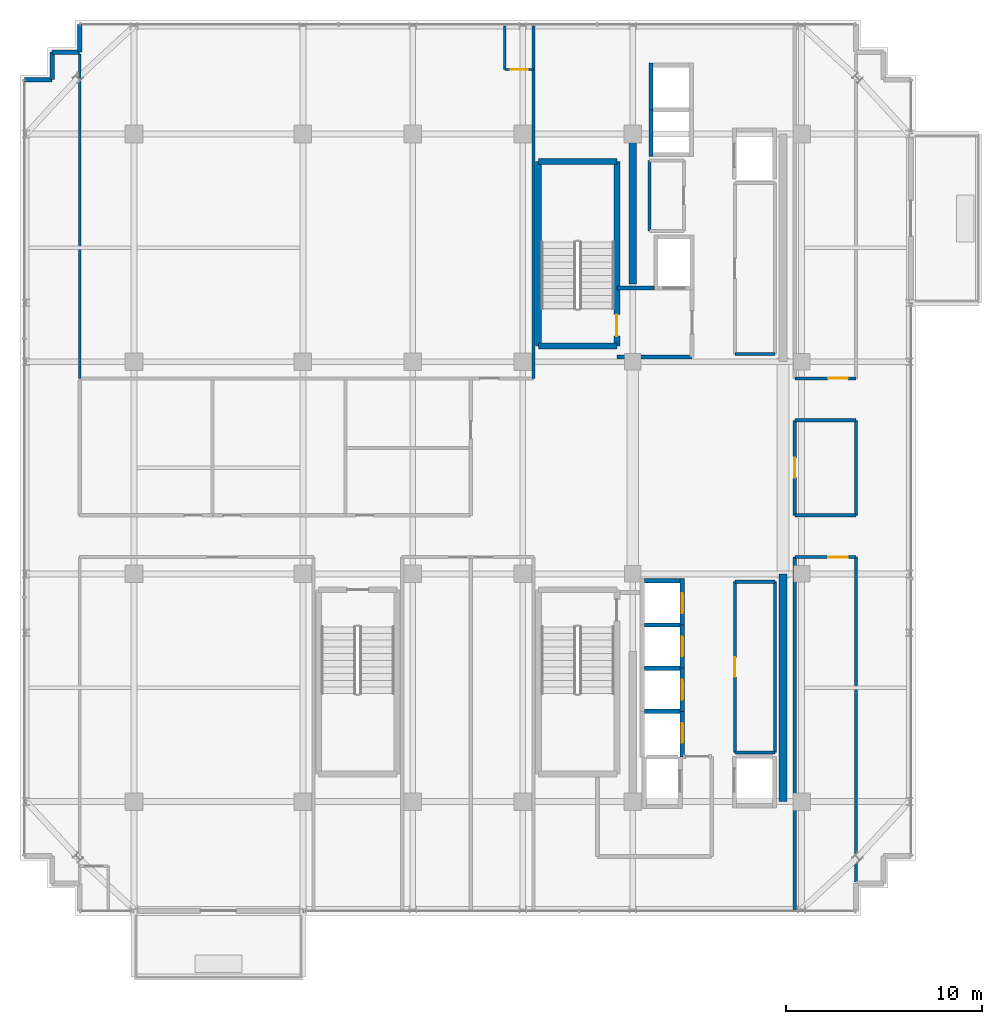
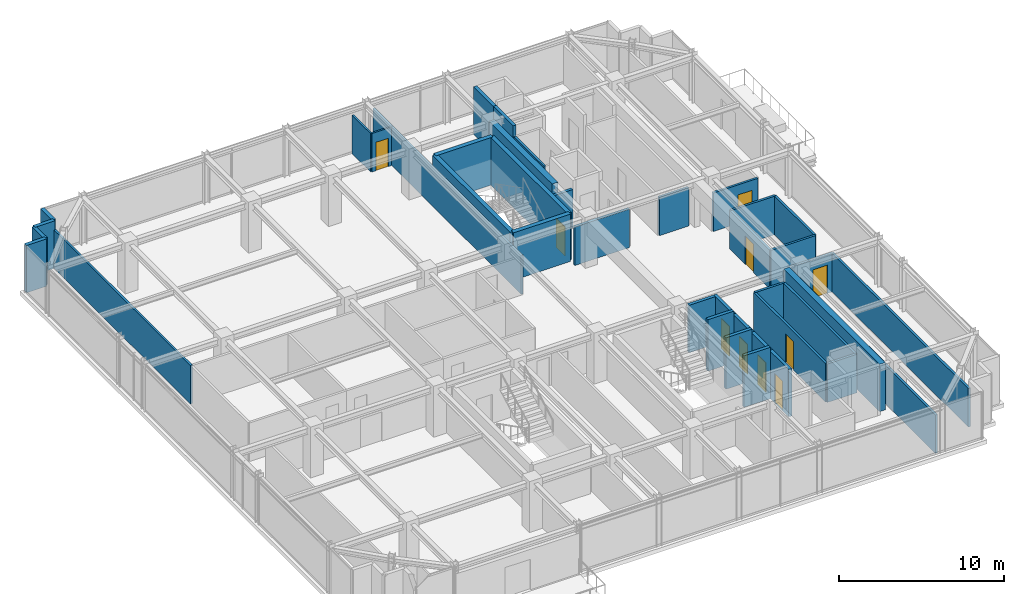
# One storey, part 28 of 32: 40 walls, 10 doors, 10 openings.
"""IFC4 building model written with IfcOpenShell, lengths in metres."""

from ifc_helpers import new_model, si_unit, direction, frame, frame_2d, origin, place, context, subcontext, project, spatial, rectangle, extrude, source, transform, mapped, material, layer, layer_set, type_object, element, fill, save


model = new_model("IFC4")

# Units and contexts
model_context = context("Model", 3, precision=1e-05, world=origin(), true_north=direction((0.0, 1.0)))
body_context = subcontext(model_context, "Body", "Model", "MODEL_VIEW")
ifc_project = project(units=[si_unit("LENGTHUNIT", "METRE"), si_unit("AREAUNIT", "SQUARE_METRE"), si_unit("VOLUMEUNIT", "CUBIC_METRE"), si_unit("PLANEANGLEUNIT", "RADIAN"), si_unit("MASSUNIT", "GRAM", prefix="KILO")], contexts=[model_context])

# Site, building, storey
site_placement = place(None, origin())
site = spatial("IfcSite", under=ifc_project, at=site_placement, CompositionType="ELEMENT")
building_placement = place(site_placement, origin())
building = spatial("IfcBuilding", under=site, at=building_placement, Name="Nahalor Promenade Grand Hotel", CompositionType="ELEMENT")
storey_placement = place(building_placement, frame((0.0, 0.0, 330.949951171875)))
storey = spatial("IfcBuildingStorey", under=building, at=storey_placement, Name="L85", CompositionType="ELEMENT", Elevation=330.949951171875)

# Walls
ifc_material_1 = material(Name="Concrete B-50 (C40/50)", Category="concrete")
ifc_layer_1 = layer(ifc_material_1, 0.39990234375)
ifc_layer_set_1 = layer_set([ifc_layer_1], Name="Concrete B-50 (C40/50)")
wall_type_1 = type_object("IfcWallType", Name="Wall-CoreShear-400", PredefinedType="SHEAR", material=ifc_layer_set_1)
shared_shape_1 = source(origin(), body_context, "Body", "SweptSolid", [
    extrude(rectangle(XDim=7.64990234375, YDim=0.39990234375, at=frame_2d((3.824951171875, 0.0))), origin(), (0.0, 0.0, 1.0), 3.5),
])
wall_1_placement = place(storey_placement, frame((8.39990234375, 9.35009765625, 0.0), z_axis=(0.0, 0.0, 1.0), x_axis=(0.0, 1.0, 0.0)))
element("IfcWall", 1, at=wall_1_placement, inside=storey, type_object=wall_type_1, Name="CWALL-L85-NW", PredefinedType="SHEAR", context=body_context, shape_type="MappedRepresentation", body=[
    mapped(shared_shape_1, transform((0.0, 0.0, 0.0), scale=1.0)),
])
shared_shape_2 = source(origin(), body_context, "Body", "SweptSolid", [
    extrude(rectangle(XDim=11.60009765625, YDim=0.39990234375, at=frame_2d((5.800048828125, 0.0))), origin(), (0.0, 0.0, 1.0), 3.5),
])
wall_2_placement = place(storey_placement, frame((16.050048828125, -17.0, 0.0), z_axis=(0.0, 0.0, 1.0), x_axis=(0.0, 1.0, 0.0)))
element("IfcWall", 2, at=wall_2_placement, inside=storey, type_object=wall_type_1, Name="CWALL-L85-SE", PredefinedType="SHEAR", context=body_context, shape_type="MappedRepresentation", body=[
    mapped(shared_shape_2, transform((0.0, 0.0, 0.0), scale=1.0)),
])
ifc_layer_2 = layer(ifc_material_1, 0.300048828125)
ifc_layer_set_2 = layer_set([ifc_layer_2], Name="Concrete B-50 (C40/50)")
wall_type_2 = type_object("IfcWallType", Name="Wall-ShaftShear-300", PredefinedType="SHEAR", material=ifc_layer_set_2)
shared_shape_3 = source(origin(), body_context, "Body", "SweptSolid", [
    extrude(rectangle(XDim=3.97998046875, YDim=0.300048828125, at=frame_2d((1.989990234375, 0.0))), origin(), (0.0, 0.0, 1.0), 3.5),
])
for number, where, z_axis, x_axis, name in (
    (3, (3.610107421875, 6.2099609375, 0.0), (0.0, 0.0, 1.0), (1.0, 0.0, 0.0), "L85 Exit Stair ST1 Shaft Wall S"),
    (4, (3.610107421875, 15.590087890625, 0.0), (0.0, 0.0, 1.0), (1.0, 0.0, 0.0), "L85 Exit Stair ST1 Shaft Wall N"),
):
    element("IfcWall", number, at=place(storey_placement, frame(where, z_axis=z_axis, x_axis=x_axis)), inside=storey, type_object=wall_type_2, Name=name, PredefinedType="SHEAR", context=body_context, shape_type="MappedRepresentation", body=[
        mapped(shared_shape_3, transform((0.0, 0.0, 0.0), scale=1.0)),
    ])
shared_shape_4 = source(origin(), body_context, "Body", "SweptSolid", [
    extrude(rectangle(XDim=9.380126953125, YDim=0.300048828125, at=frame_2d((4.68994140625, 0.0))), origin(), (0.0, 0.0, 1.0), 3.5),
])
wall_3_placement = place(storey_placement, frame((3.610107421875, 6.2099609375, 0.0), z_axis=(0.0, 0.0, 1.0), x_axis=(0.0, 1.0, 0.0)))
element("IfcWall", 5, at=wall_3_placement, inside=storey, type_object=wall_type_2, Name="L85 Exit Stair ST1 Shaft Wall W", PredefinedType="SHEAR", context=body_context, shape_type="MappedRepresentation", body=[
    mapped(shared_shape_4, transform((0.0, 0.0, 0.0), scale=1.0)),
])

# Wall, opening, door
wall_4_placement = place(storey_placement, frame((7.590087890625, 6.2099609375, 0.0), z_axis=(0.0, 0.0, 1.0), x_axis=(0.0, 1.0, 0.0)))
wall_4 = element("IfcWall", 6, at=wall_4_placement, inside=storey, type_object=wall_type_2, Name="L85 Exit Stair ST1 Shaft Wall E", PredefinedType="SHEAR", context=body_context, shape_type="MappedRepresentation", body=[
    mapped(shared_shape_4, transform((0.0, 0.0, 0.0), scale=1.0)),
])
opening_1_placement = place(wall_4_placement, frame((0.489990234375, 0.0, 0.0)))
opening_1 = element("IfcOpeningElement", 7, at=opening_1_placement, cuts=wall_4, Name="Opening D-ST1", PredefinedType="OPENING", context=body_context, shape_type="SweptSolid", body=[
    extrude(rectangle(XDim=1.10009765625, YDim=2.14990234375, at=frame_2d((0.550048828125, 1.074951171875))), frame((0.0, 0.159912109375, 0.0), z_axis=(0.0, -1.0, 0.0), x_axis=(1.0, 0.0, 0.0)), (0.0, 0.0, 1.0), 0.320068359375),
])
ifc_material_2 = material(Name="Steel S355JR", Category="steel")
door_type_1 = type_object("IfcDoorType", Name="Door-StairFire-1100", OperationType="NOTDEFINED", PredefinedType="DOOR", material=ifc_material_2)
shared_shape_5 = source(origin(), body_context, "Body", "SweptSolid", [
    extrude(rectangle(XDim=1.10009765625, YDim=2.14990234375, at=frame_2d((0.550048828125, 1.074951171875))), frame((0.0, 0.02490234375, 0.0), z_axis=(0.0, -1.0, 0.0), x_axis=(1.0, 0.0, 0.0)), (0.0, 0.0, 1.0), 0.050048828125),
])
door_1_placement = place(opening_1_placement, origin())
door_1 = element("IfcDoor", 8, at=door_1_placement, inside=storey, type_object=door_type_1, Name="DR-STAIR-ST1-L85", OperationType="SINGLE_SWING_RIGHT", OverallHeight=2.14990234375, OverallWidth=1.10009765625, PredefinedType="DOOR", context=body_context, shape_type="MappedRepresentation", body=[
    mapped(shared_shape_5, transform((0.0, 0.0, 0.0), scale=1.0)),
])
fill(opening_1, door_1)

ifc_layer_3 = layer(ifc_material_1, 0.219970703125)
ifc_layer_set_3 = layer_set([ifc_layer_3], Name="Concrete B-50 (C40/50)")
wall_type_3 = type_object("IfcWallType", Name="Wall-LiftShaft-220", PredefinedType="SHEAR", material=ifc_layer_set_3)
shared_shape_6 = source(origin(), body_context, "Body", "SweptSolid", [
    extrude(rectangle(XDim=2.360107421875, YDim=0.219970703125, at=frame_2d((1.18017578125, 0.0))), origin(), (0.0, 0.0, 1.0), 3.5),
])
wall_5_placement = place(storey_placement, frame((10.919921875, -8.0, 0.0), z_axis=(0.0, 0.0, 1.0), x_axis=(0.0, 1.0, 0.0)))
wall_5 = element("IfcWall", 9, at=wall_5_placement, inside=storey, type_object=wall_type_3, Name="L85 Lift PL9 Hoistway Wall E", PredefinedType="SHEAR", context=body_context, shape_type="MappedRepresentation", body=[
    mapped(shared_shape_6, transform((0.0, 0.0, 0.0), scale=1.0)),
])
opening_2_placement = place(wall_5_placement, frame((0.60009765625, 0.0, 0.0)))
opening_2 = element("IfcOpeningElement", 10, at=opening_2_placement, cuts=wall_5, Name="Opening LD-01", PredefinedType="OPENING", context=body_context, shape_type="SweptSolid", body=[
    extrude(rectangle(XDim=1.0, YDim=2.199951171875, at=frame_2d((0.5, 1.10009765625))), frame((0.0, 0.119873046875, 0.0), z_axis=(0.0, -1.0, 0.0), x_axis=(1.0, 0.0, 0.0)), (0.0, 0.0, 1.0), 0.239990234375),
])
door_type_2 = type_object("IfcDoorType", Name="Door-LiftLanding-1000", OperationType="DOUBLE_DOOR_SLIDING", PredefinedType="DOOR", material=ifc_material_2)
shared_shape_7 = source(origin(), body_context, "Body", "SweptSolid", [
    extrude(rectangle(XDim=1.0, YDim=2.199951171875, at=frame_2d((0.5, 1.10009765625))), frame((0.0, 0.02490234375, 0.0), z_axis=(0.0, -1.0, 0.0), x_axis=(1.0, 0.0, 0.0)), (0.0, 0.0, 1.0), 0.050048828125),
])
door_2_placement = place(opening_2_placement, frame((1.0, 0.0, 0.0), z_axis=(0.0, 0.0, 1.0), x_axis=(-1.0, 0.0, 0.0)))
door_2 = element("IfcDoor", 11, at=door_2_placement, inside=storey, type_object=door_type_2, Name="DR-LIFT-PL9-L85", OperationType="DOUBLE_DOOR_SLIDING", OverallHeight=2.199951171875, OverallWidth=1.0, PredefinedType="DOOR", context=body_context, shape_type="MappedRepresentation", body=[
    mapped(shared_shape_7, transform((0.0, 0.0, 0.0), scale=1.0)),
])
fill(opening_2, door_2)

# Wall
shared_shape_8 = source(origin(), body_context, "Body", "SweptSolid", [
    extrude(rectangle(XDim=1.820068359375, YDim=0.219970703125, at=frame_2d((0.91015625, 0.0))), origin(), (0.0, 0.0, 1.0), 3.5),
])
wall_6_placement = place(storey_placement, frame((8.989990234375, -5.75, 0.0), z_axis=(0.0, 0.0, 1.0), x_axis=(1.0, 0.0, 0.0)))
element("IfcWall", 12, at=wall_6_placement, inside=storey, type_object=wall_type_3, Name="L85 Lift PL9 Hoistway Wall N", PredefinedType="SHEAR", context=body_context, shape_type="MappedRepresentation", body=[
    mapped(shared_shape_8, transform((0.0, 0.0, 0.0), scale=1.0)),
])

# Wall, opening, door
shared_shape_9 = source(origin(), body_context, "Body", "SweptSolid", [
    extrude(rectangle(XDim=2.199951171875, YDim=0.219970703125, at=frame_2d((1.10009765625, 0.0))), origin(), (0.0, 0.0, 1.0), 3.5),
])
wall_7_placement = place(storey_placement, frame((10.919921875, -10.199951171875, 0.0), z_axis=(0.0, 0.0, 1.0), x_axis=(0.0, 1.0, 0.0)))
wall_7 = element("IfcWall", 13, at=wall_7_placement, inside=storey, type_object=wall_type_3, Name="L85 Lift PL10 Hoistway Wall E", PredefinedType="SHEAR", context=body_context, shape_type="MappedRepresentation", body=[
    mapped(shared_shape_9, transform((0.0, 0.0, 0.0), scale=1.0)),
])
opening_3_placement = place(wall_7_placement, frame((0.60009765625, 0.0, 0.0)))
opening_3 = element("IfcOpeningElement", 14, at=opening_3_placement, cuts=wall_7, Name="Opening LD-01", PredefinedType="OPENING", context=body_context, shape_type="SweptSolid", body=[
    extrude(rectangle(XDim=1.0, YDim=2.199951171875, at=frame_2d((0.5, 1.10009765625))), frame((0.0, 0.119873046875, 0.0), z_axis=(0.0, -1.0, 0.0), x_axis=(1.0, 0.0, 0.0)), (0.0, 0.0, 1.0), 0.239990234375),
])
door_3_placement = place(opening_3_placement, frame((1.0, 0.0, 0.0), z_axis=(0.0, 0.0, 1.0), x_axis=(-1.0, 0.0, 0.0)))
door_3 = element("IfcDoor", 15, at=door_3_placement, inside=storey, type_object=door_type_2, Name="DR-LIFT-PL10-L85", OperationType="DOUBLE_DOOR_SLIDING", OverallHeight=2.199951171875, OverallWidth=1.0, PredefinedType="DOOR", context=body_context, shape_type="MappedRepresentation", body=[
    mapped(shared_shape_7, transform((0.0, 0.0, 0.0), scale=1.0)),
])
fill(opening_3, door_3)

wall_8_placement = place(storey_placement, frame((10.919921875, -12.39990234375, 0.0), z_axis=(0.0, 0.0, 1.0), x_axis=(0.0, 1.0, 0.0)))
wall_8 = element("IfcWall", 16, at=wall_8_placement, inside=storey, type_object=wall_type_3, Name="L85 Lift PL11 Hoistway Wall E", PredefinedType="SHEAR", context=body_context, shape_type="MappedRepresentation", body=[
    mapped(shared_shape_9, transform((0.0, 0.0, 0.0), scale=1.0)),
])
opening_4_placement = place(wall_8_placement, frame((0.60009765625, 0.0, 0.0)))
opening_4 = element("IfcOpeningElement", 17, at=opening_4_placement, cuts=wall_8, Name="Opening LD-01", PredefinedType="OPENING", context=body_context, shape_type="SweptSolid", body=[
    extrude(rectangle(XDim=1.0, YDim=2.199951171875, at=frame_2d((0.5, 1.10009765625))), frame((0.0, 0.119873046875, 0.0), z_axis=(0.0, -1.0, 0.0), x_axis=(1.0, 0.0, 0.0)), (0.0, 0.0, 1.0), 0.239990234375),
])
door_4_placement = place(opening_4_placement, frame((1.0, 0.0, 0.0), z_axis=(0.0, 0.0, 1.0), x_axis=(-1.0, 0.0, 0.0)))
door_4 = element("IfcDoor", 18, at=door_4_placement, inside=storey, type_object=door_type_2, Name="DR-LIFT-PL11-L85", OperationType="DOUBLE_DOOR_SLIDING", OverallHeight=2.199951171875, OverallWidth=1.0, PredefinedType="DOOR", context=body_context, shape_type="MappedRepresentation", body=[
    mapped(shared_shape_7, transform((0.0, 0.0, 0.0), scale=1.0)),
])
fill(opening_4, door_4)

# Walls
shared_shape_10 = source(origin(), body_context, "Body", "SweptSolid", [
    extrude(rectangle(XDim=1.820068359375, YDim=0.219970703125, at=frame_2d((0.91015625, 0.0))), origin(), (0.0, 0.0, 1.0), 3.800048828125),
])
for number, where, z_axis, x_axis, name in (
    (19, (8.989990234375, -8.0, 0.0), (0.0, 0.0, 1.0), (1.0, 0.0, 0.0), "L85 Lift PL10 Hoistway Wall N"),
    (20, (8.989990234375, -10.199951171875, 0.0), (0.0, 0.0, 1.0), (1.0, 0.0, 0.0), "L85 Lift PL11 Hoistway Wall N"),
    (21, (8.989990234375, -12.39990234375, 0.0), (0.0, 0.0, 1.0), (1.0, 0.0, 0.0), "L85 Lift PL12 Hoistway Wall N"),
):
    element("IfcWall", number, at=place(storey_placement, frame(where, z_axis=z_axis, x_axis=x_axis)), inside=storey, type_object=wall_type_3, Name=name, PredefinedType="SHEAR", context=body_context, shape_type="MappedRepresentation", body=[
        mapped(shared_shape_10, transform((0.0, 0.0, 0.0), scale=1.0)),
    ])

# Wall, opening, door
shared_shape_11 = source(origin(), body_context, "Body", "SweptSolid", [
    extrude(rectangle(XDim=2.3251953125, YDim=0.219970703125, at=frame_2d((1.16259765625, 0.0))), origin(), (0.0, 0.0, 1.0), 3.5),
])
wall_9_placement = place(storey_placement, frame((10.919921875, -14.72509765625, 0.0), z_axis=(0.0, 0.0, 1.0), x_axis=(0.0, 1.0, 0.0)))
wall_9 = element("IfcWall", 22, at=wall_9_placement, inside=storey, type_object=wall_type_3, Name="L85 Lift PL12 Hoistway Wall E", PredefinedType="SHEAR", context=body_context, shape_type="MappedRepresentation", body=[
    mapped(shared_shape_11, transform((0.0, 0.0, 0.0), scale=1.0)),
])
opening_5_placement = place(wall_9_placement, frame((0.72509765625, 0.0, 0.0)))
opening_5 = element("IfcOpeningElement", 23, at=opening_5_placement, cuts=wall_9, Name="Opening LD-01", PredefinedType="OPENING", context=body_context, shape_type="SweptSolid", body=[
    extrude(rectangle(XDim=1.0, YDim=2.199951171875, at=frame_2d((0.5, 1.10009765625))), frame((0.0, 0.119873046875, 0.0), z_axis=(0.0, -1.0, 0.0), x_axis=(1.0, 0.0, 0.0)), (0.0, 0.0, 1.0), 0.239990234375),
])
door_5_placement = place(opening_5_placement, frame((1.0, 0.0, 0.0), z_axis=(0.0, 0.0, 1.0), x_axis=(-1.0, 0.0, 0.0)))
door_5 = element("IfcDoor", 24, at=door_5_placement, inside=storey, type_object=door_type_2, Name="DR-LIFT-PL12-L85", OperationType="DOUBLE_DOOR_SLIDING", OverallHeight=2.199951171875, OverallWidth=1.0, PredefinedType="DOOR", context=body_context, shape_type="MappedRepresentation", body=[
    mapped(shared_shape_7, transform((0.0, 0.0, 0.0), scale=1.0)),
])
fill(opening_5, door_5)

# Walls
shared_shape_12 = source(origin(), body_context, "Body", "SweptSolid", [
    extrude(rectangle(XDim=2.385009765625, YDim=0.219970703125, at=frame_2d((1.1923828125, 0.0))), origin(), (0.0, 0.0, 1.0), 3.5),
])
for number, where, z_axis, x_axis, name in (
    (25, (9.330078125, 15.840087890625, 0.0), (0.0, 0.0, 1.0), (0.0, 1.0, 0.0), "L85 Lift OB1 Hoistway Wall W"),
    (26, (9.330078125, 18.22509765625, 0.0), (0.0, 0.0, 1.0), (0.0, 1.0, 0.0), "L85 Lift OB2 Hoistway Wall W"),
):
    element("IfcWall", number, at=place(storey_placement, frame(where, z_axis=z_axis, x_axis=x_axis)), inside=storey, type_object=wall_type_3, Name=name, PredefinedType="SHEAR", context=body_context, shape_type="MappedRepresentation", body=[
        mapped(shared_shape_12, transform((0.0, 0.0, 0.0), scale=1.0)),
    ])
ifc_material_3 = material(Name="Concrete B-40 (C32/40)", Category="concrete")
ifc_layer_4 = layer(ifc_material_3, 0.25)
ifc_layer_set_4 = layer_set([ifc_layer_4], Name="Concrete B-40 (C32/40)")
wall_type_4 = type_object("IfcWallType", Name="Wall-BronzePier-250", PredefinedType="STANDARD", material=ifc_layer_set_4)
shared_shape_13 = source(origin(), body_context, "Body", "SweptSolid", [
    extrude(rectangle(XDim=1.400146484375, YDim=0.25, at=frame_2d((0.7001953125, 0.0))), origin(), (0.0, 0.0, 1.0), 3.5),
])
for number, where, z_axis, x_axis, name in (
    (27, (-19.760009765625, 21.159912109375, 0.0), (0.0, 0.0, 1.0), (0.0, 1.0, 0.0), "W-L85-SR-09"),
    (28, (-22.56005859375, 19.760009765625, 0.0), (0.0, 0.0, 1.0), (1.0, 0.0, 0.0), "W-L85-SR-12"),
):
    element("IfcWall", number, at=place(storey_placement, frame(where, z_axis=z_axis, x_axis=x_axis)), inside=storey, type_object=wall_type_4, Name=name, PredefinedType="STANDARD", context=body_context, shape_type="MappedRepresentation", body=[
        mapped(shared_shape_13, transform((0.0, 0.0, 0.0), scale=1.0)),
    ])
shared_shape_14 = source(origin(), body_context, "Body", "SweptSolid", [
    extrude(rectangle(XDim=1.39990234375, YDim=0.25, at=frame_2d((0.699951171875, 0.0))), origin(), (0.0, 0.0, 1.0), 3.5),
])
for number, where, z_axis, x_axis, name in (
    (29, (-21.159912109375, 21.159912109375, 0.0), (0.0, 0.0, 1.0), (1.0, 0.0, 0.0), "W-L85-SR-10"),
    (30, (-21.159912109375, 19.760009765625, 0.0), (0.0, 0.0, 1.0), (0.0, 1.0, 0.0), "W-L85-SR-11"),
):
    element("IfcWall", number, at=place(storey_placement, frame(where, z_axis=z_axis, x_axis=x_axis)), inside=storey, type_object=wall_type_4, Name=name, PredefinedType="STANDARD", context=body_context, shape_type="MappedRepresentation", body=[
        mapped(shared_shape_14, transform((0.0, 0.0, 0.0), scale=1.0)),
    ])
ifc_layer_5 = layer(ifc_material_3, 0.199951171875)
ifc_layer_set_5 = layer_set([ifc_layer_5], Name="Concrete B-40 (C32/40)")
wall_type_5 = type_object("IfcWallType", Name="Wall-PartFire-200", PredefinedType="PARTITIONING", material=ifc_layer_set_5)
shared_shape_15 = source(origin(), body_context, "Body", "SweptSolid", [
    extrude(rectangle(XDim=3.81982421875, YDim=0.199951171875, at=frame_2d((1.909912109375, 0.0))), origin(), (0.0, 0.0, 1.0), 2.840087890625),
])
wall_10_placement = place(storey_placement, frame((7.60009765625, 5.64990234375, 0.0), z_axis=(0.0, 0.0, 1.0), x_axis=(1.0, 0.0, 0.0)))
element("IfcWall", 31, at=wall_10_placement, inside=storey, type_object=wall_type_5, Name="W-L85-FF1-S", PredefinedType="PARTITIONING", context=body_context, shape_type="MappedRepresentation", body=[
    mapped(shared_shape_15, transform((0.0, 0.0, 0.0), scale=1.0)),
])
shared_shape_16 = source(origin(), body_context, "Body", "SweptSolid", [
    extrude(rectangle(XDim=1.89990234375, YDim=0.199951171875, at=frame_2d((0.949951171875, 0.0))), origin(), (0.0, 0.0, 1.0), 2.840087890625),
])
wall_11_placement = place(storey_placement, frame((7.60009765625, 9.14990234375, 0.0), z_axis=(0.0, 0.0, 1.0), x_axis=(1.0, 0.0, 0.0)))
element("IfcWall", 32, at=wall_11_placement, inside=storey, type_object=wall_type_5, Name="W-L85-FF1-N", PredefinedType="PARTITIONING", context=body_context, shape_type="MappedRepresentation", body=[
    mapped(shared_shape_16, transform((0.0, 0.0, 0.0), scale=1.0)),
])
ifc_material_4 = material(Name="Acoustic Mineral Gypsum", Category="gypsum")
ifc_layer_6 = layer(ifc_material_4, 0.159912109375)
ifc_layer_set_6 = layer_set([ifc_layer_6], Name="Acoustic Mineral Gypsum")
wall_type_6 = type_object("IfcWallType", Name="Wall-PartCorridor-160", PredefinedType="PARTITIONING", material=ifc_layer_set_6)
shared_shape_17 = source(origin(), body_context, "Body", "SweptSolid", [
    extrude(rectangle(XDim=2.0498046875, YDim=0.159912109375, at=frame_2d((1.02490234375, 0.0))), origin(), (0.0, 0.0, 1.0), 2.840087890625),
])
for number, where, z_axis, x_axis, name in (
    (33, (13.60009765625, 5.800048828125, 0.0), (0.0, 0.0, 1.0), (1.0, 0.0, 0.0), "W-L85-FRB1-S"),
    (34, (13.60009765625, -14.5, 0.0), (0.0, 0.0, 1.0), (1.0, 0.0, 0.0), "W-L85-FRB2-S"),
    (35, (13.60009765625, -5.800048828125, 0.0), (0.0, 0.0, 1.0), (1.0, 0.0, 0.0), "W-L85-FRB2-N"),
):
    element("IfcWall", number, at=place(storey_placement, frame(where, z_axis=z_axis, x_axis=x_axis)), inside=storey, type_object=wall_type_6, Name=name, PredefinedType="PARTITIONING", context=body_context, shape_type="MappedRepresentation", body=[
        mapped(shared_shape_17, transform((0.0, 0.0, 0.0), scale=1.0)),
    ])

# Wall, opening, door
shared_shape_18 = source(origin(), body_context, "Body", "SweptSolid", [
    extrude(rectangle(XDim=3.110107421875, YDim=0.159912109375, at=frame_2d((1.55517578125, 0.0))), origin(), (0.0, 0.0, 1.0), 2.840087890625),
])
wall_12_placement = place(storey_placement, frame((16.64990234375, 4.550048828125, 0.0), z_axis=(0.0, 0.0, 1.0), x_axis=(1.0, 0.0, 0.0)))
wall_12 = element("IfcWall", 36, at=wall_12_placement, inside=storey, type_object=wall_type_6, Name="W-L85-ENE-S", PredefinedType="PARTITIONING", context=body_context, shape_type="MappedRepresentation", body=[
    mapped(shared_shape_18, transform((0.0, 0.0, 0.0), scale=1.0)),
])
opening_6_placement = place(wall_12_placement, frame((1.700927734375, 0.0, 0.0)))
opening_6 = element("IfcOpeningElement", 37, at=opening_6_placement, cuts=wall_12, Name="Opening D-04", PredefinedType="OPENING", context=body_context, shape_type="SweptSolid", body=[
    extrude(rectangle(XDim=1.0, YDim=2.10009765625, at=frame_2d((0.5, 1.050048828125))), frame((0.0, 0.08984375, 0.0), z_axis=(0.0, -1.0, 0.0), x_axis=(1.0, 0.0, 0.0)), (0.0, 0.0, 1.0), 0.179931640625),
])
door_type_3 = type_object("IfcDoorType", Name="Door-ServiceFire-1000", OperationType="NOTDEFINED", PredefinedType="DOOR", material=ifc_material_2)
shared_shape_19 = source(origin(), body_context, "Body", "SweptSolid", [
    extrude(rectangle(XDim=1.0, YDim=2.10009765625, at=frame_2d((0.5, 1.050048828125))), frame((0.0, 0.02490234375, 0.0), z_axis=(0.0, -1.0, 0.0), x_axis=(1.0, 0.0, 0.0)), (0.0, 0.0, 1.0), 0.050048828125),
])
door_6_placement = place(opening_6_placement, origin())
door_6 = element("IfcDoor", 38, at=door_6_placement, inside=storey, type_object=door_type_3, Name="DR-L85-ENE", OperationType="SINGLE_SWING_LEFT", OverallHeight=2.10009765625, OverallWidth=1.0, PredefinedType="DOOR", context=body_context, shape_type="MappedRepresentation", body=[
    mapped(shared_shape_19, transform((0.0, 0.0, 0.0), scale=1.0)),
])
fill(opening_6, door_6)

wall_13_placement = place(storey_placement, frame((16.64990234375, -4.550048828125, 0.0), z_axis=(0.0, 0.0, 1.0), x_axis=(1.0, 0.0, 0.0)))
wall_13 = element("IfcWall", 39, at=wall_13_placement, inside=storey, type_object=wall_type_6, Name="W-L85-ESE-N", PredefinedType="PARTITIONING", context=body_context, shape_type="MappedRepresentation", body=[
    mapped(shared_shape_18, transform((0.0, 0.0, 0.0), scale=1.0)),
])
opening_7_placement = place(wall_13_placement, frame((1.700927734375, 0.0, 0.0)))
opening_7 = element("IfcOpeningElement", 40, at=opening_7_placement, cuts=wall_13, Name="Opening D-04", PredefinedType="OPENING", context=body_context, shape_type="SweptSolid", body=[
    extrude(rectangle(XDim=1.0, YDim=2.10009765625, at=frame_2d((0.5, 1.050048828125))), frame((0.0, 0.08984375, 0.0), z_axis=(0.0, -1.0, 0.0), x_axis=(1.0, 0.0, 0.0)), (0.0, 0.0, 1.0), 0.179931640625),
])
door_7_placement = place(opening_7_placement, frame((1.0, 0.0, 0.0), z_axis=(0.0, 0.0, 1.0), x_axis=(-1.0, 0.0, 0.0)))
door_7 = element("IfcDoor", 41, at=door_7_placement, inside=storey, type_object=door_type_3, Name="DR-L85-ESE", OperationType="SINGLE_SWING_RIGHT", OverallHeight=2.10009765625, OverallWidth=1.0, PredefinedType="DOOR", context=body_context, shape_type="MappedRepresentation", body=[
    mapped(shared_shape_19, transform((0.0, 0.0, 0.0), scale=1.0)),
])
fill(opening_7, door_7)

# Walls
for number, where, z_axis, x_axis, name in (
    (42, (16.64990234375, -2.419921875, 0.0), (0.0, 0.0, 1.0), (1.0, 0.0, 0.0), "W-L85-ECW-S"),
    (43, (16.64990234375, 2.419921875, 0.0), (0.0, 0.0, 1.0), (1.0, 0.0, 0.0), "W-L85-ECW-N"),
):
    element("IfcWall", number, at=place(storey_placement, frame(where, z_axis=z_axis, x_axis=x_axis)), inside=storey, type_object=wall_type_6, Name=name, PredefinedType="PARTITIONING", context=body_context, shape_type="MappedRepresentation", body=[
        mapped(shared_shape_18, transform((0.0, 0.0, 0.0), scale=1.0)),
    ])
shared_shape_20 = source(origin(), body_context, "Body", "SweptSolid", [
    extrude(rectangle(XDim=17.949951171875, YDim=0.159912109375, at=frame_2d((8.97509765625, 0.0))), origin(), (0.0, 0.0, 1.0), 2.840087890625),
])
wall_14_placement = place(storey_placement, frame((16.64990234375, -22.5, 0.0), z_axis=(0.0, 0.0, 1.0), x_axis=(0.0, 1.0, 0.0)))
element("IfcWall", 44, at=wall_14_placement, inside=storey, type_object=wall_type_6, Name="W-L85-ESE-W", PredefinedType="PARTITIONING", context=body_context, shape_type="MappedRepresentation", body=[
    mapped(shared_shape_20, transform((0.0, 0.0, 0.0), scale=1.0)),
])
shared_shape_21 = source(origin(), body_context, "Body", "SweptSolid", [
    extrude(rectangle(XDim=16.530029296875, YDim=0.159912109375, at=frame_2d((8.26513671875, 0.0))), origin(), (0.0, 0.0, 1.0), 2.840087890625),
])
wall_15_placement = place(storey_placement, frame((19.760009765625, -21.080078125, 0.0), z_axis=(0.0, 0.0, 1.0), x_axis=(0.0, 1.0, 0.0)))
element("IfcWall", 45, at=wall_15_placement, inside=storey, type_object=wall_type_6, Name="W-L85-ESE-E", PredefinedType="PARTITIONING", context=body_context, shape_type="MappedRepresentation", body=[
    mapped(shared_shape_21, transform((0.0, 0.0, 0.0), scale=1.0)),
])
ifc_layer_7 = layer(ifc_material_4, 0.139892578125)
ifc_layer_set_7 = layer_set([ifc_layer_7], Name="Acoustic Mineral Gypsum")
wall_type_7 = type_object("IfcWallType", Name="Wall-PartSuite-140", PredefinedType="PARTITIONING", material=ifc_layer_set_7)
shared_shape_22 = source(origin(), body_context, "Body", "SweptSolid", [
    extrude(rectangle(XDim=16.530029296875, YDim=0.139892578125, at=frame_2d((8.26513671875, 0.0))), origin(), (0.0, 0.0, 1.0), 2.840087890625),
])
wall_16_placement = place(storey_placement, frame((-19.760009765625, 4.550048828125, 0.0), z_axis=(0.0, 0.0, 1.0), x_axis=(0.0, 1.0, 0.0)))
element("IfcWall", 46, at=wall_16_placement, inside=storey, type_object=wall_type_7, Name="W-L85-NW-ENDW", PredefinedType="PARTITIONING", context=body_context, shape_type="MappedRepresentation", body=[
    mapped(shared_shape_22, transform((0.0, 0.0, 0.0), scale=1.0)),
])
shared_shape_23 = source(origin(), body_context, "Body", "SweptSolid", [
    extrude(rectangle(XDim=17.949951171875, YDim=0.139892578125, at=frame_2d((8.97509765625, 0.0))), origin(), (0.0, 0.0, 1.0), 2.840087890625),
])
wall_17_placement = place(storey_placement, frame((3.340087890625, 4.550048828125, 0.0), z_axis=(0.0, 0.0, 1.0), x_axis=(0.0, 1.0, 0.0)))
element("IfcWall", 47, at=wall_17_placement, inside=storey, type_object=wall_type_7, Name="W-L85-NW-ENDE", PredefinedType="PARTITIONING", context=body_context, shape_type="MappedRepresentation", body=[
    mapped(shared_shape_23, transform((0.0, 0.0, 0.0), scale=1.0)),
])

# Wall, opening, door
ifc_layer_8 = layer(ifc_material_4, 0.1201171875)
ifc_layer_set_8 = layer_set([ifc_layer_8], Name="Acoustic Mineral Gypsum")
wall_type_8 = type_object("IfcWallType", Name="Wall-PartBath-120", PredefinedType="PARTITIONING", material=ifc_layer_set_8)
shared_shape_24 = source(origin(), body_context, "Body", "SweptSolid", [
    extrude(rectangle(XDim=1.4501953125, YDim=0.1201171875, at=frame_2d((0.72509765625, 0.0))), origin(), (0.0, 0.0, 1.0), 2.840087890625),
])
wall_18_placement = place(storey_placement, frame((1.889892578125, 20.280029296875, 0.0), z_axis=(0.0, 0.0, 1.0), x_axis=(1.0, 0.0, 0.0)))
wall_18 = element("IfcWall", 48, at=wall_18_placement, inside=storey, type_object=wall_type_8, Name="W-L85-N1-BH", PredefinedType="PARTITIONING", context=body_context, shape_type="MappedRepresentation", body=[
    mapped(shared_shape_24, transform((0.0, 0.0, 0.0), scale=1.0)),
])
opening_8_placement = place(wall_18_placement, frame((0.284912109375, 0.0, 0.0)))
opening_8 = element("IfcOpeningElement", 49, at=opening_8_placement, cuts=wall_18, Name="Opening D-03", PredefinedType="OPENING", context=body_context, shape_type="SweptSolid", body=[
    extrude(rectangle(XDim=0.8798828125, YDim=2.10009765625, at=frame_2d((0.43994140625, 1.050048828125))), frame((0.0, 0.070068359375, 0.0), z_axis=(0.0, -1.0, 0.0), x_axis=(1.0, 0.0, 0.0)), (0.0, 0.0, 1.0), 0.14013671875),
])
ifc_material_5 = material(Name="Fire-Rated Timber Composite", Category="wood")
door_type_4 = type_object("IfcDoorType", Name="Door-BathSwing-880", OperationType="NOTDEFINED", PredefinedType="DOOR", material=ifc_material_5)
shared_shape_25 = source(origin(), body_context, "Body", "SweptSolid", [
    extrude(rectangle(XDim=0.8798828125, YDim=2.10009765625, at=frame_2d((0.43994140625, 1.050048828125))), frame((0.0, 0.02490234375, 0.0), z_axis=(0.0, -1.0, 0.0), x_axis=(1.0, 0.0, 0.0)), (0.0, 0.0, 1.0), 0.050048828125),
])
door_8_placement = place(opening_8_placement, origin())
door_8 = element("IfcDoor", 50, at=door_8_placement, inside=storey, type_object=door_type_4, Name="DR-L85-N1-BATH", OperationType="SINGLE_SWING_LEFT", OverallHeight=2.10009765625, OverallWidth=0.8798828125, PredefinedType="DOOR", context=body_context, shape_type="MappedRepresentation", body=[
    mapped(shared_shape_25, transform((0.0, 0.0, 0.0), scale=1.0)),
])
fill(opening_8, door_8)

# Wall
shared_shape_26 = source(origin(), body_context, "Body", "SweptSolid", [
    extrude(rectangle(XDim=2.219970703125, YDim=0.1201171875, at=frame_2d((1.10986328125, 0.0))), origin(), (0.0, 0.0, 1.0), 2.840087890625),
])
wall_19_placement = place(storey_placement, frame((1.889892578125, 20.280029296875, 0.0), z_axis=(0.0, 0.0, 1.0), x_axis=(0.0, 1.0, 0.0)))
element("IfcWall", 51, at=wall_19_placement, inside=storey, type_object=wall_type_8, Name="W-L85-N1-BV", PredefinedType="PARTITIONING", context=body_context, shape_type="MappedRepresentation", body=[
    mapped(shared_shape_26, transform((0.0, 0.0, 0.0), scale=1.0)),
])

# Wall, opening, door
shared_shape_27 = source(origin(), body_context, "Body", "SweptSolid", [
    extrude(rectangle(XDim=4.83984375, YDim=0.159912109375, at=frame_2d((2.419921875, 0.0))), origin(), (0.0, 0.0, 1.0), 2.840087890625),
])
wall_20_placement = place(storey_placement, frame((16.64990234375, -2.419921875, 0.0), z_axis=(0.0, 0.0, 1.0), x_axis=(0.0, 1.0, 0.0)))
wall_20 = element("IfcWall", 52, at=wall_20_placement, inside=storey, type_object=wall_type_6, Name="W-L85-ECW-W", PredefinedType="PARTITIONING", context=body_context, shape_type="MappedRepresentation", body=[
    mapped(shared_shape_27, transform((0.0, 0.0, 0.0), scale=1.0)),
])
opening_9_placement = place(wall_20_placement, frame((1.919921875, 0.0, 0.0)))
opening_9 = element("IfcOpeningElement", 53, at=opening_9_placement, cuts=wall_20, Name="Opening D-04", PredefinedType="OPENING", context=body_context, shape_type="SweptSolid", body=[
    extrude(rectangle(XDim=1.0, YDim=2.10009765625, at=frame_2d((0.5, 1.050048828125))), frame((0.0, 0.08984375, 0.0), z_axis=(0.0, -1.0, 0.0), x_axis=(1.0, 0.0, 0.0)), (0.0, 0.0, 1.0), 0.179931640625),
])
door_9_placement = place(opening_9_placement, frame((1.0, 0.0, 0.0), z_axis=(0.0, 0.0, 1.0), x_axis=(-1.0, 0.0, 0.0)))
door_9 = element("IfcDoor", 54, at=door_9_placement, inside=storey, type_object=door_type_3, Name="DR-L85-ECW", OperationType="SINGLE_SWING_RIGHT", OverallHeight=2.10009765625, OverallWidth=1.0, PredefinedType="DOOR", context=body_context, shape_type="MappedRepresentation", body=[
    mapped(shared_shape_19, transform((0.0, 0.0, 0.0), scale=1.0)),
])
fill(opening_9, door_9)

# Walls
wall_21_placement = place(storey_placement, frame((19.760009765625, -2.419921875, 0.0), z_axis=(0.0, 0.0, 1.0), x_axis=(0.0, 1.0, 0.0)))
element("IfcWall", 55, at=wall_21_placement, inside=storey, type_object=wall_type_6, Name="W-L85-ECW-E", PredefinedType="PARTITIONING", context=body_context, shape_type="MappedRepresentation", body=[
    mapped(shared_shape_27, transform((0.0, 0.0, 0.0), scale=1.0)),
])
ifc_layer_9 = layer(ifc_material_4, 0.14990234375)
ifc_layer_set_9 = layer_set([ifc_layer_9], Name="Acoustic Mineral Gypsum")
wall_type_9 = type_object("IfcWallType", Name="Wall-PartService-150", PredefinedType="PARTITIONING", material=ifc_layer_set_9)
shared_shape_28 = source(origin(), body_context, "Body", "SweptSolid", [
    extrude(rectangle(XDim=3.599853515625, YDim=0.14990234375, at=frame_2d((1.7998046875, 0.0))), origin(), (0.0, 0.0, 1.0), 2.840087890625),
])
wall_22_placement = place(storey_placement, frame((9.25, 12.050048828125, 0.0), z_axis=(0.0, 0.0, 1.0), x_axis=(0.0, 1.0, 0.0)))
element("IfcWall", 56, at=wall_22_placement, inside=storey, type_object=wall_type_9, Name="W-L85-CK1A-W", PredefinedType="PARTITIONING", context=body_context, shape_type="MappedRepresentation", body=[
    mapped(shared_shape_28, transform((0.0, 0.0, 0.0), scale=1.0)),
])

# Wall, opening, door
shared_shape_29 = source(origin(), body_context, "Body", "SweptSolid", [
    extrude(rectangle(XDim=8.699951171875, YDim=0.159912109375, at=frame_2d((4.35009765625, 0.0))), origin(), (0.0, 0.0, 1.0), 2.840087890625),
])
wall_23_placement = place(storey_placement, frame((13.60009765625, -14.5, 0.0), z_axis=(0.0, 0.0, 1.0), x_axis=(0.0, 1.0, 0.0)))
wall_23 = element("IfcWall", 57, at=wall_23_placement, inside=storey, type_object=wall_type_6, Name="W-L85-FRB2-W", PredefinedType="PARTITIONING", context=body_context, shape_type="MappedRepresentation", body=[
    mapped(shared_shape_29, transform((0.0, 0.0, 0.0), scale=1.0)),
])
opening_10_placement = place(wall_23_placement, frame((3.85009765625, 0.0, 0.0)))
opening_10 = element("IfcOpeningElement", 58, at=opening_10_placement, cuts=wall_23, Name="Opening D-04", PredefinedType="OPENING", context=body_context, shape_type="SweptSolid", body=[
    extrude(rectangle(XDim=1.0, YDim=2.10009765625, at=frame_2d((0.5, 1.050048828125))), frame((0.0, 0.08984375, 0.0), z_axis=(0.0, -1.0, 0.0), x_axis=(1.0, 0.0, 0.0)), (0.0, 0.0, 1.0), 0.179931640625),
])
door_10_placement = place(opening_10_placement, frame((1.0, 0.0, 0.0), z_axis=(0.0, 0.0, 1.0), x_axis=(-1.0, 0.0, 0.0)))
door_10 = element("IfcDoor", 59, at=door_10_placement, inside=storey, type_object=door_type_3, Name="DR-L85-FRB2", OperationType="SINGLE_SWING_RIGHT", OverallHeight=2.10009765625, OverallWidth=1.0, PredefinedType="DOOR", context=body_context, shape_type="MappedRepresentation", body=[
    mapped(shared_shape_19, transform((0.0, 0.0, 0.0), scale=1.0)),
])
fill(opening_10, door_10)

# Wall
wall_24_placement = place(storey_placement, frame((15.64990234375, -14.5, 0.0), z_axis=(0.0, 0.0, 1.0), x_axis=(0.0, 1.0, 0.0)))
element("IfcWall", 60, at=wall_24_placement, inside=storey, type_object=wall_type_6, Name="W-L85-FRB2-E", PredefinedType="PARTITIONING", context=body_context, shape_type="MappedRepresentation", body=[
    mapped(shared_shape_29, transform((0.0, 0.0, 0.0), scale=1.0)),
])

save(model, "model.ifc")
